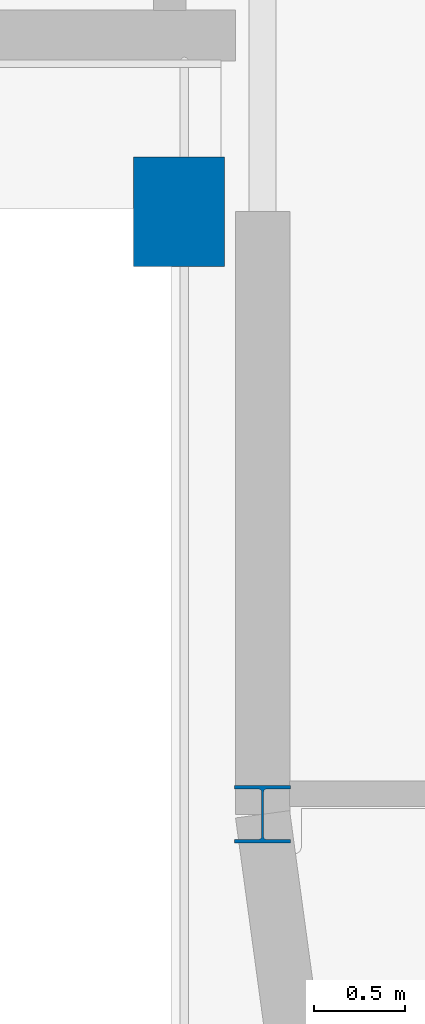
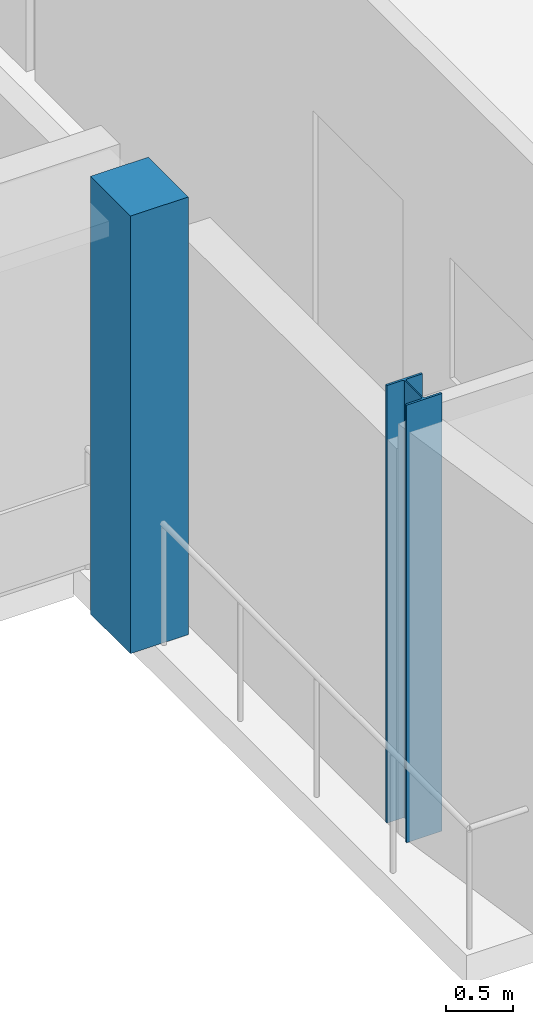
# One storey, part 8 of 92: 2 columns.
"""IFC4 building model written with IfcOpenShell, lengths in metres."""

from ifc_helpers import new_model, si_unit, direction, frame, origin, origin_2d, place, context, subcontext, project, spatial, rectangle, i_section, extrude, material, material_profile, profile_set, type_object, element, save


model = new_model("IFC4")

# Units and contexts
model_context = context("Model", 3, precision=1e-05, world=origin(), true_north=direction((0.0, 1.0)))
body_context = subcontext(model_context, "Body", "Model", "MODEL_VIEW")
ifc_project = project(units=[si_unit("LENGTHUNIT", "METRE"), si_unit("AREAUNIT", "SQUARE_METRE"), si_unit("VOLUMEUNIT", "CUBIC_METRE"), si_unit("PLANEANGLEUNIT", "RADIAN"), si_unit("MASSUNIT", "GRAM", prefix="KILO")], contexts=[model_context])

# Site, building, storey
site_placement = place(None, origin())
site = spatial("IfcSite", under=ifc_project, at=site_placement, CompositionType="ELEMENT")
building_placement = place(site_placement, origin())
building = spatial("IfcBuilding", under=site, at=building_placement, Name="Kelanivale Promenade Academy", CompositionType="ELEMENT")
storey_placement = place(building_placement, frame((0.0, 0.0, 8.199951171875)))
storey = spatial("IfcBuildingStorey", under=building, at=storey_placement, Name="L02", CompositionType="ELEMENT", Elevation=8.199951171875)

# Columns
ifc_material_1 = material(Name="Concrete C40/50", Category="concrete")
ifc_material_profile_1 = material_profile(ifc_material_1, rectangle(XDim=0.5, YDim=0.60009765625, at=origin_2d()), Name="RC-PIL 500x600")
ifc_profile_set_1 = profile_set([ifc_material_profile_1], Name="Concrete C40/50")
column_type_1 = type_object("IfcColumnType", Name="PL-18 RC-PIL 500x600", PredefinedType="PILASTER", material=ifc_profile_set_1)
column_1_placement = place(storey_placement, frame((122.889892578125, 49.571044921875, 0.0), z_axis=(0.0, 0.0, 1.0), x_axis=(1.0, 0.0, 0.0)))
element("IfcColumn", 1, at=column_1_placement, inside=storey, type_object=column_type_1, Name="Column PL-18 at (122.9, 49.6) L02", PredefinedType="PILASTER", context=body_context, shape_type="SweptSolid", body=[
    extrude(rectangle(XDim=0.5, YDim=0.60009765625, at=origin_2d()), origin(), (0.0, 0.0, 1.0), 4.0),
])
ifc_material_2 = material(Name="Steel S355", Category="steel")
ifc_material_profile_2 = material_profile(ifc_material_2, i_section(OverallWidth=0.307373046875, OverallDepth=0.314453125, WebThickness=0.011962890625, FlangeThickness=0.018798828125, FilletRadius=0.01513671875, at=origin_2d()), Name="UC 305x305x118")
ifc_profile_set_2 = profile_set([ifc_material_profile_2], Name="Steel S355")
column_type_2 = type_object("IfcColumnType", Name="SC-04 UC 305x305x118", PredefinedType="COLUMN", material=ifc_profile_set_2)
column_2_placement = place(storey_placement, frame((123.35009765625, 46.257080078125, 0.0), z_axis=(0.0, 0.0, 1.0), x_axis=(1.0, 0.0, 0.0)))
element("IfcColumn", 2, at=column_2_placement, inside=storey, type_object=column_type_2, Name="Column SC-04 at (123.3, 46.3) L02", PredefinedType="COLUMN", context=body_context, shape_type="SweptSolid", body=[
    extrude(i_section(OverallWidth=0.307373046875, OverallDepth=0.314453125, WebThickness=0.011962890625, FlangeThickness=0.018798828125, FilletRadius=0.01513671875, at=origin_2d()), origin(), (0.0, 0.0, 1.0), 4.0),
])

save(model, "model.ifc")
